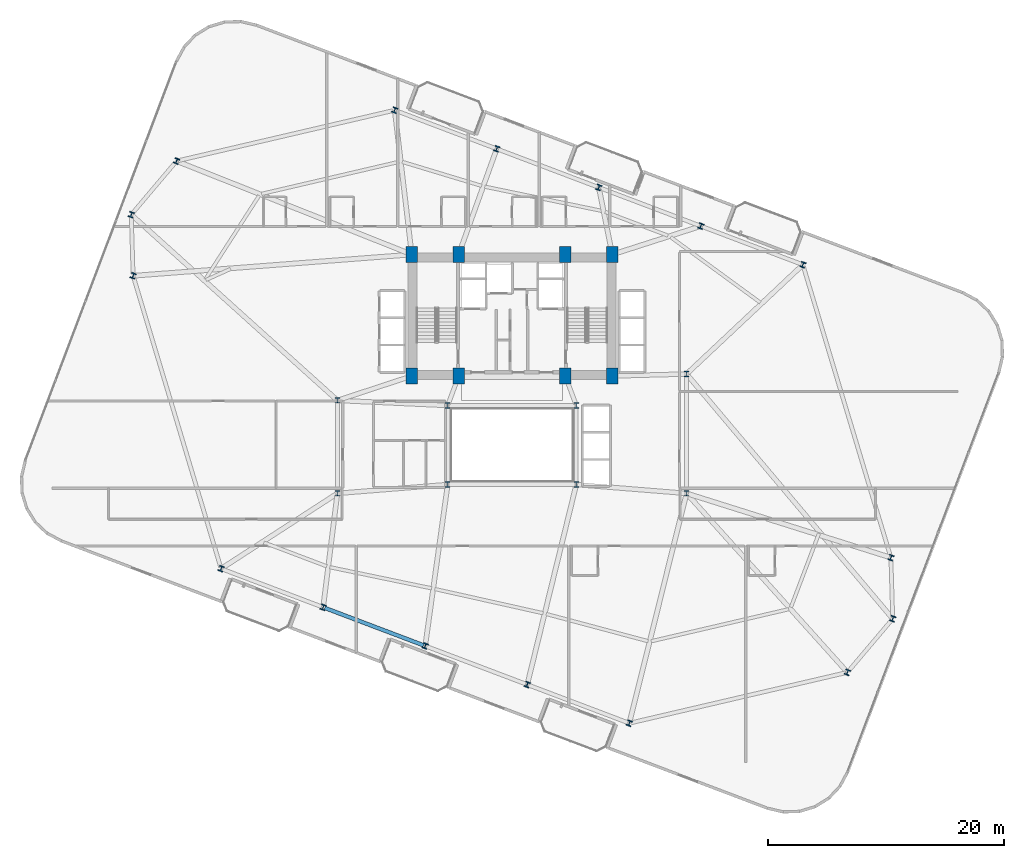
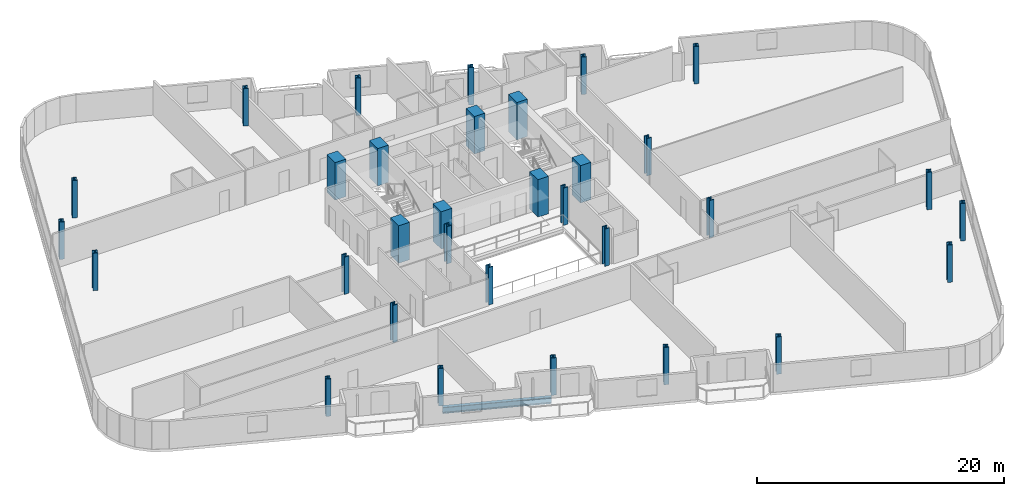
# One storey, part 1 of 24: 32 columns, 1 beam.
"""IFC4 building model written with IfcOpenShell, lengths in metres."""

from ifc_helpers import new_model, si_unit, direction, frame, origin, origin_2d, place, context, subcontext, project, spatial, rectangle, i_section, extrude, material, material_profile, profile_set, type_object, element, save


model = new_model("IFC4")

# Units and contexts
model_context = context("Model", 3, precision=1e-05, world=origin(), true_north=direction((0.0, 1.0)))
body_context = subcontext(model_context, "Body", "Model", "MODEL_VIEW")
ifc_project = project(units=[si_unit("LENGTHUNIT", "METRE"), si_unit("AREAUNIT", "SQUARE_METRE"), si_unit("VOLUMEUNIT", "CUBIC_METRE"), si_unit("PLANEANGLEUNIT", "RADIAN"), si_unit("MASSUNIT", "GRAM", prefix="KILO")], contexts=[model_context])

# Site, building, storey
site_placement = place(None, origin())
site = spatial("IfcSite", under=ifc_project, at=site_placement, CompositionType="ELEMENT")
building_placement = place(site_placement, origin())
building = spatial("IfcBuilding", under=site, at=building_placement, Name="Varnelok Gate Tower", CompositionType="ELEMENT")
storey_placement = place(building_placement, frame((0.0, 0.0, 94.699951171875)))
storey = spatial("IfcBuildingStorey", under=building, at=storey_placement, Name="L23", CompositionType="ELEMENT", Elevation=94.699951171875)

# Columns
ifc_material_1 = material(Name="Concrete C70/85", Category="concrete")
ifc_material_profile_1 = material_profile(ifc_material_1, rectangle(XDim=1.0, YDim=1.35009765625, at=origin_2d()), Name="RC1350X1000")
ifc_profile_set_1 = profile_set([ifc_material_profile_1], Name="Concrete C70/85")
column_type_1 = type_object("IfcColumnType", Name="COL-RC1350X1000", PredefinedType="COLUMN", material=ifc_profile_set_1)
for number, where, z_axis, x_axis, name in (
    (1, (30.699951171875, 28.75, 0.0), (0.0, 0.0, 1.0), (1.0, 0.0, 0.0), "L23 Core Spine Column SC1"),
    (2, (34.679931640625, 28.75, 0.0), (0.0, 0.0, 1.0), (1.0, 0.0, 0.0), "L23 Core Spine Column SC2"),
    (3, (43.719970703125, 28.75, 0.0), (0.0, 0.0, 1.0), (1.0, 0.0, 0.0), "L23 Core Spine Column SC3"),
    (4, (47.699951171875, 28.75, 0.0), (0.0, 0.0, 1.0), (1.0, 0.0, 0.0), "L23 Core Spine Column SC4"),
    (5, (30.699951171875, 39.050048828125, 0.0), (0.0, 0.0, 1.0), (1.0, 0.0, 0.0), "L23 Core Spine Column SC5"),
    (6, (34.679931640625, 39.050048828125, 0.0), (0.0, 0.0, 1.0), (1.0, 0.0, 0.0), "L23 Core Spine Column SC6"),
    (7, (43.719970703125, 39.050048828125, 0.0), (0.0, 0.0, 1.0), (1.0, 0.0, 0.0), "L23 Core Spine Column SC7"),
    (8, (47.699951171875, 39.050048828125, 0.0), (0.0, 0.0, 1.0), (1.0, 0.0, 0.0), "L23 Core Spine Column SC8"),
):
    element("IfcColumn", number, at=place(storey_placement, frame(where, z_axis=z_axis, x_axis=x_axis)), inside=storey, type_object=column_type_1, Name=name, PredefinedType="COLUMN", context=body_context, shape_type="SweptSolid", body=[
        extrude(rectangle(XDim=1.0, YDim=1.35009765625, at=origin_2d()), origin(), (0.0, 0.0, 1.0), 3.699951171875),
    ])
ifc_material_2 = material(Name="Structural Steel ASTM A992 Grade 50", Category="steel")
ifc_material_profile_2 = material_profile(ifc_material_2, i_section(OverallWidth=0.424072265625, OverallDepth=0.47412109375, WebThickness=0.047607421875, FlangeThickness=0.0771484375, FilletRadius=0.02490234375, at=origin_2d()), Name="W14X426")
ifc_profile_set_2 = profile_set([ifc_material_profile_2], Name="Structural Steel ASTM A992 Grade 50")
column_type_2 = type_object("IfcColumnType", Name="COL-W14X426", PredefinedType="COLUMN", material=ifc_profile_set_2)
for number, where, z_axis, x_axis, name in (
    (9, (33.75, 19.550048828125, 0.0), (0.0, 0.0, 1.0), (1.0, 0.0, 0.0), "L23 Atrium Spine Column AC1"),
    (10, (44.64990234375, 19.550048828125, 0.0), (0.0, 0.0, 1.0), (1.0, 0.0, 0.0), "L23 Atrium Spine Column AC2"),
    (11, (33.75, 26.25, 0.0), (0.0, 0.0, 1.0), (1.0, 0.0, 0.0), "L23 Atrium Spine Column AC3"),
    (12, (44.64990234375, 26.25, 0.0), (0.0, 0.0, 1.0), (1.0, 0.0, 0.0), "L23 Atrium Spine Column AC4"),
    (13, (24.39990234375, 18.800048828125, 0.0), (0.0, 0.0, 1.0), (1.0, 0.0, 0.0), "L23 Wing Spine Column WS1"),
    (14, (24.39990234375, 26.679931640625, 0.0), (0.0, 0.0, 1.0), (1.0, 0.0, 0.0), "L23 Wing Spine Column WS2"),
    (15, (54.0, 18.800048828125, 0.0), (0.0, 0.0, 1.0), (1.0, 0.0, 0.0), "L23 Wing Spine Column ES1"),
    (16, (54.0, 28.919921875, 0.0), (0.0, 0.0, 1.0), (1.0, 0.0, 0.0), "L23 Wing Spine Column ES2"),
    (17, (14.541015625, 12.416259765625, 0.0), (0.0, 0.0, 1.0), (0.935221751401, -0.354062530786, 0.0), "L23 B2 Perimeter Column PC01"),
    (18, (23.19189453125, 9.14111328125, 0.0), (0.0, 0.0, 1.0), (0.935221751401, -0.354062530786, 0.0), "L23 B2 Perimeter Column PC02"),
    (19, (31.842529296875, 5.8662109375, 0.0), (0.0, 0.0, 1.0), (0.935221751401, -0.354062530786, 0.0), "L23 B2 Perimeter Column PC03"),
    (20, (40.493408203125, 2.591064453125, 0.0), (0.0, 0.0, 1.0), (0.935221751401, -0.354062530786, 0.0), "L23 B2 Perimeter Column PC04"),
    (21, (49.144287109375, -0.68408203125, 0.0), (0.0, 0.0, 1.0), (0.935221751401, -0.354062530786, 0.0), "L23 B2 Perimeter Column PC05"),
    (22, (67.63671875, 3.627685546875, 0.0), (0.0, 0.0, 1.0), (0.935221751401, -0.354062530786, 0.0), "L23 B2 Perimeter Column PC06"),
    (23, (71.4765625, 8.172607421875, 0.0), (0.0, 0.0, 1.0), (0.935221751401, -0.354062530786, 0.0), "L23 B2 Perimeter Column PC07"),
    (24, (71.319091796875, 13.35400390625, 0.0), (0.0, 0.0, 1.0), (0.935221751401, -0.354062530786, 0.0), "L23 B2 Perimeter Column PC08"),
    (25, (63.85888671875, 38.183837890625, 0.0), (0.0, 0.0, 1.0), (0.935221751401, -0.354062530786, 0.0), "L23 B2 Perimeter Column PC09"),
    (26, (55.208251953125, 41.458740234375, 0.0), (0.0, 0.0, 1.0), (0.935221751401, -0.354062530786, 0.0), "L23 B2 Perimeter Column PC10"),
    (27, (46.557373046875, 44.73388671875, 0.0), (0.0, 0.0, 1.0), (0.935221751401, -0.354062530786, 0.0), "L23 B2 Perimeter Column PC11"),
    (28, (37.906494140625, 48.009033203125, 0.0), (0.0, 0.0, 1.0), (0.935221751401, -0.354062530786, 0.0), "L23 B2 Perimeter Column PC12"),
    (29, (29.255859375, 51.2841796875, 0.0), (0.0, 0.0, 1.0), (0.935221751401, -0.354062530786, 0.0), "L23 B2 Perimeter Column PC13"),
    (30, (10.76318359375, 46.972412109375, 0.0), (0.0, 0.0, 1.0), (0.935221751401, -0.354062530786, 0.0), "L23 B2 Perimeter Column PC14"),
    (31, (6.92333984375, 42.427490234375, 0.0), (0.0, 0.0, 1.0), (0.935221751401, -0.354062530786, 0.0), "L23 B2 Perimeter Column PC15"),
    (32, (7.0810546875, 37.24609375, 0.0), (0.0, 0.0, 1.0), (0.935221751401, -0.354062530786, 0.0), "L23 B2 Perimeter Column PC16"),
):
    element("IfcColumn", number, at=place(storey_placement, frame(where, z_axis=z_axis, x_axis=x_axis)), inside=storey, type_object=column_type_2, Name=name, PredefinedType="COLUMN", context=body_context, shape_type="SweptSolid", body=[
        extrude(i_section(OverallWidth=0.424072265625, OverallDepth=0.47412109375, WebThickness=0.047607421875, FlangeThickness=0.0771484375, FilletRadius=0.02490234375, at=origin_2d()), origin(), (0.0, 0.0, 1.0), 3.699951171875),
    ])

# Beam
ifc_material_profile_3 = material_profile(ifc_material_2, i_section(OverallWidth=0.323974609375, OverallDepth=0.611083984375, WebThickness=0.0126953125, FlangeThickness=0.01904296875, FilletRadius=0.01806640625, at=origin_2d()), Name="W24X104")
ifc_profile_set_3 = profile_set([ifc_material_profile_3], Name="Structural Steel ASTM A992 Grade 50")
beam_type = type_object("IfcBeamType", Name="BM-SPN-W24X104", PredefinedType="SPANDREL", material=ifc_profile_set_3)
beam_placement = place(storey_placement, frame((23.33203125, 9.088134765625, -0.555419921875), z_axis=(0.935220356141, -0.354066216208, 0.0), x_axis=(0.354066216208, 0.935220356141, 0.0)))
element("IfcBeam", 33, at=beam_placement, inside=storey, type_object=beam_type, Name="L23 Perimeter Spandrel Beam 2", PredefinedType="SPANDREL", context=body_context, shape_type="SweptSolid", body=[
    extrude(i_section(OverallWidth=0.323974609375, OverallDepth=0.611083984375, WebThickness=0.0126953125, FlangeThickness=0.01904296875, FilletRadius=0.01806640625, at=origin_2d()), origin(), (0.0, 0.0, 1.0), 8.9501953125),
])

save(model, "model.ifc")
